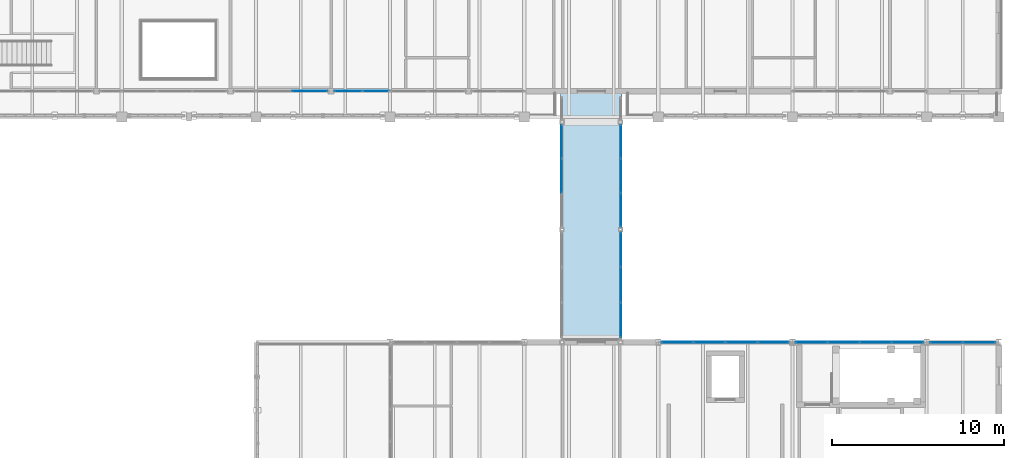
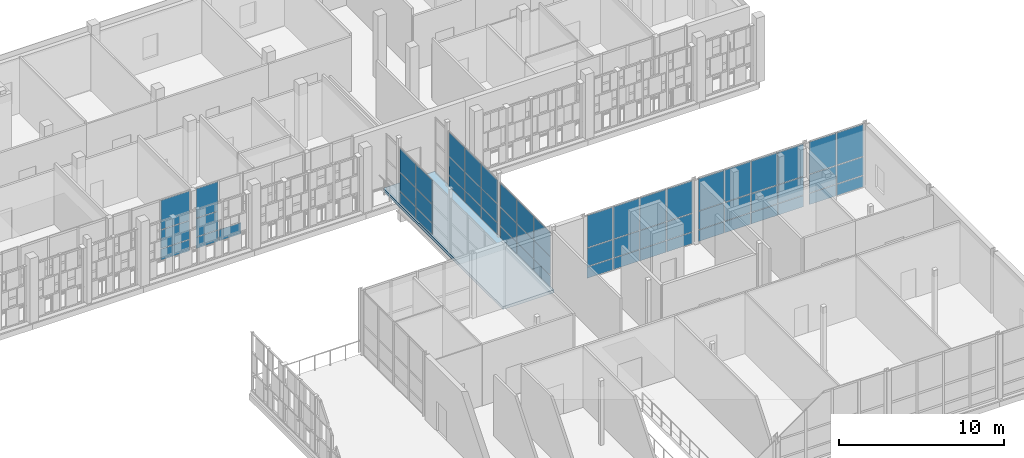
# One storey, part 88 of 138: 61 plates, 1 slab, 8 elements without a shape of their own.
"""IFC4 building model written with IfcOpenShell, lengths in metres."""

from ifc_helpers import new_model, si_unit, direction, frame, origin, origin_2d, place, context, subcontext, project, spatial, polyline, rectangle, outline, extrude, material, layer, layer_set, type_object, element, aggregate, save


model = new_model("IFC4")

# Units and contexts
model_context = context("Model", 3, precision=1e-05, world=origin(), true_north=direction((0.0, 1.0)))
body_context = subcontext(model_context, "Body", "Model", "MODEL_VIEW")
ifc_project = project(units=[si_unit("LENGTHUNIT", "METRE"), si_unit("AREAUNIT", "SQUARE_METRE"), si_unit("VOLUMEUNIT", "CUBIC_METRE"), si_unit("PLANEANGLEUNIT", "RADIAN"), si_unit("MASSUNIT", "GRAM", prefix="KILO")], contexts=[model_context])

# Site, building, storey
site_placement = place(None, origin())
site = spatial("IfcSite", under=ifc_project, at=site_placement, CompositionType="ELEMENT")
building_placement = place(site_placement, origin())
building = spatial("IfcBuilding", under=site, at=building_placement, Name="Celorna Specialist Clinic", CompositionType="ELEMENT")
storey_placement = place(building_placement, frame((0.0, 0.0, 4.800048828125)))
storey = spatial("IfcBuildingStorey", under=building, at=storey_placement, Name="L01", CompositionType="ELEMENT", Elevation=4.800048828125)

# Curtain wall, plates
ifc_material_1 = material(Name="Thermally broken aluminium and solar-control glass curtain wall", Category="aluminium")
ifc_layer_1 = layer(ifc_material_1, 0.159912109375, Name="Thermally broken aluminium and solar-control glass curtain wall")
ifc_layer_set_1 = layer_set([ifc_layer_1], Name="Thermally broken aluminium and solar-control glass curtain wall")
curtain_wall_type_1 = type_object("IfcCurtainWallType", Name="CW-43", PredefinedType="NOTDEFINED", material=ifc_layer_set_1)
curtain_wall_1_placement = place(storey_placement, origin())
curtain_wall_1 = element("IfcCurtainWall", 1, at=curtain_wall_1_placement, inside=storey, type_object=curtain_wall_type_1, Name="Curtain wall CW-43 #83", PredefinedType="NOTDEFINED")
ifc_material_2 = material(Name="Low-e double glazing", Category="glass")
ifc_layer_2 = layer(ifc_material_2, 0.028076171875, Name="Low-e double glazing")
ifc_layer_set_2 = layer_set([ifc_layer_2], Name="Low-e double glazing")
plate_type_1 = type_object("IfcPlateType", Name="CPN-01", PredefinedType="CURTAIN_PANEL", material=ifc_layer_set_2)
plate_1_placement = place(storey_placement, frame((164.939453125, 83.39990234375, 0.0498046875), z_axis=(0.0, 0.0, 1.0), x_axis=(1.0, 0.0, 0.0)))
plate_1 = element("IfcPlate", 2, at=plate_1_placement, type_object=plate_type_1, Name="CW-43 panel 1.1", PredefinedType="CURTAIN_PANEL", context=body_context, shape_type="SweptSolid", body=[
    extrude(rectangle(XDim=1.87109375, YDim=0.028076171875, at=origin_2d()), origin(), (0.0, 0.0, 1.0), 0.824951171875),
])
plate_2_placement = place(storey_placement, frame((164.939453125, 83.39990234375, 0.9248046875), z_axis=(0.0, 0.0, 1.0), x_axis=(1.0, 0.0, 0.0)))
plate_2 = element("IfcPlate", 3, at=plate_2_placement, type_object=plate_type_1, Name="CW-43 panel 1.2", PredefinedType="CURTAIN_PANEL", context=body_context, shape_type="SweptSolid", body=[
    extrude(rectangle(XDim=1.87109375, YDim=0.028076171875, at=origin_2d()), origin(), (0.0, 0.0, 1.0), 1.35009765625),
])
plate_3_placement = place(storey_placement, frame((164.939453125, 83.39990234375, 2.324951171875), z_axis=(0.0, 0.0, 1.0), x_axis=(1.0, 0.0, 0.0)))
plate_3 = element("IfcPlate", 4, at=plate_3_placement, type_object=plate_type_1, Name="CW-43 panel 1.3", PredefinedType="CURTAIN_PANEL", context=body_context, shape_type="SweptSolid", body=[
    extrude(rectangle(XDim=1.87109375, YDim=0.028076171875, at=origin_2d()), origin(), (0.0, 0.0, 1.0), 2.375),
])
plate_4_placement = place(storey_placement, frame((166.860595703125, 83.39990234375, 0.0498046875), z_axis=(0.0, 0.0, 1.0), x_axis=(1.0, 0.0, 0.0)))
plate_4 = element("IfcPlate", 5, at=plate_4_placement, type_object=plate_type_1, Name="CW-43 panel 2.1", PredefinedType="CURTAIN_PANEL", context=body_context, shape_type="SweptSolid", body=[
    extrude(rectangle(XDim=1.87109375, YDim=0.028076171875, at=origin_2d()), origin(), (0.0, 0.0, 1.0), 0.824951171875),
])
plate_5_placement = place(storey_placement, frame((166.860595703125, 83.39990234375, 0.9248046875), z_axis=(0.0, 0.0, 1.0), x_axis=(1.0, 0.0, 0.0)))
plate_5 = element("IfcPlate", 6, at=plate_5_placement, type_object=plate_type_1, Name="CW-43 panel 2.2", PredefinedType="CURTAIN_PANEL", context=body_context, shape_type="SweptSolid", body=[
    extrude(rectangle(XDim=1.87109375, YDim=0.028076171875, at=origin_2d()), origin(), (0.0, 0.0, 1.0), 1.35009765625),
])
plate_6_placement = place(storey_placement, frame((166.860595703125, 83.39990234375, 2.324951171875), z_axis=(0.0, 0.0, 1.0), x_axis=(1.0, 0.0, 0.0)))
plate_6 = element("IfcPlate", 7, at=plate_6_placement, type_object=plate_type_1, Name="CW-43 panel 2.3", PredefinedType="CURTAIN_PANEL", context=body_context, shape_type="SweptSolid", body=[
    extrude(rectangle(XDim=1.87109375, YDim=0.028076171875, at=origin_2d()), origin(), (0.0, 0.0, 1.0), 2.375),
])
aggregate(curtain_wall_1, [plate_1, plate_2, plate_3, plate_4, plate_5, plate_6])

ifc_layer_3 = layer(ifc_material_1, 0.159912109375, Name="Thermally broken aluminium and solar-control glass curtain wall")
ifc_layer_set_3 = layer_set([ifc_layer_3], Name="Thermally broken aluminium and solar-control glass curtain wall")
curtain_wall_type_2 = type_object("IfcCurtainWallType", Name="CW-61", PredefinedType="NOTDEFINED", material=ifc_layer_set_3)
curtain_wall_2_placement = place(storey_placement, origin())
curtain_wall_2 = element("IfcCurtainWall", 8, at=curtain_wall_2_placement, inside=storey, type_object=curtain_wall_type_2, Name="Curtain wall CW-61 #115", PredefinedType="NOTDEFINED")
plate_7_placement = place(storey_placement, frame((131.7705078125, 98.0, 0.0498046875), z_axis=(0.0, 0.0, 1.0), x_axis=(-1.0, 0.0, 0.0)))
plate_7 = element("IfcPlate", 9, at=plate_7_placement, type_object=plate_type_1, Name="CW-61 panel 1.1", PredefinedType="CURTAIN_PANEL", context=body_context, shape_type="SweptSolid", body=[
    extrude(rectangle(XDim=1.551025390625, YDim=0.028076171875, at=origin_2d()), origin(), (0.0, 0.0, 1.0), 0.824951171875),
])
plate_8_placement = place(storey_placement, frame((130.16943359375, 98.0, 0.0498046875), z_axis=(0.0, 0.0, 1.0), x_axis=(-1.0, 0.0, 0.0)))
plate_8 = element("IfcPlate", 10, at=plate_8_placement, type_object=plate_type_1, Name="CW-61 panel 2.1", PredefinedType="CURTAIN_PANEL", context=body_context, shape_type="SweptSolid", body=[
    extrude(rectangle(XDim=1.551025390625, YDim=0.028076171875, at=origin_2d()), origin(), (0.0, 0.0, 1.0), 0.824951171875),
])
plate_9_placement = place(storey_placement, frame((130.16943359375, 98.0, 0.9248046875), z_axis=(0.0, 0.0, 1.0), x_axis=(-1.0, 0.0, 0.0)))
plate_9 = element("IfcPlate", 11, at=plate_9_placement, type_object=plate_type_1, Name="CW-61 panel 2.2", PredefinedType="CURTAIN_PANEL", context=body_context, shape_type="SweptSolid", body=[
    extrude(rectangle(XDim=1.551025390625, YDim=0.028076171875, at=origin_2d()), origin(), (0.0, 0.0, 1.0), 1.35009765625),
])
plate_10_placement = place(storey_placement, frame((130.16943359375, 98.0, 2.324951171875), z_axis=(0.0, 0.0, 1.0), x_axis=(-1.0, 0.0, 0.0)))
plate_10 = element("IfcPlate", 12, at=plate_10_placement, type_object=plate_type_1, Name="CW-61 panel 2.3", PredefinedType="CURTAIN_PANEL", context=body_context, shape_type="SweptSolid", body=[
    extrude(rectangle(XDim=1.551025390625, YDim=0.028076171875, at=origin_2d()), origin(), (0.0, 0.0, 1.0), 2.1650390625),
])
aggregate(curtain_wall_2, [plate_7, plate_8, plate_9, plate_10])

ifc_layer_4 = layer(ifc_material_1, 0.159912109375, Name="Thermally broken aluminium and solar-control glass curtain wall")
ifc_layer_set_4 = layer_set([ifc_layer_4], Name="Thermally broken aluminium and solar-control glass curtain wall")
curtain_wall_type_3 = type_object("IfcCurtainWallType", Name="CW-62", PredefinedType="NOTDEFINED", material=ifc_layer_set_4)
curtain_wall_3_placement = place(storey_placement, origin())
curtain_wall_3 = element("IfcCurtainWall", 13, at=curtain_wall_3_placement, inside=storey, type_object=curtain_wall_type_3, Name="Curtain wall CW-62 #116", PredefinedType="NOTDEFINED")
plate_11_placement = place(storey_placement, frame((127.935546875, 98.0, 0.0498046875), z_axis=(0.0, 0.0, 1.0), x_axis=(-1.0, 0.0, 0.0)))
plate_11 = element("IfcPlate", 14, at=plate_11_placement, type_object=plate_type_1, Name="CW-62 panel 1.1", PredefinedType="CURTAIN_PANEL", context=body_context, shape_type="SweptSolid", body=[
    extrude(rectangle(XDim=2.02099609375, YDim=0.028076171875, at=origin_2d()), origin(), (0.0, 0.0, 1.0), 0.824951171875),
])
plate_12_placement = place(storey_placement, frame((127.935546875, 98.0, 0.9248046875), z_axis=(0.0, 0.0, 1.0), x_axis=(-1.0, 0.0, 0.0)))
plate_12 = element("IfcPlate", 15, at=plate_12_placement, type_object=plate_type_1, Name="CW-62 panel 1.2", PredefinedType="CURTAIN_PANEL", context=body_context, shape_type="SweptSolid", body=[
    extrude(rectangle(XDim=2.02099609375, YDim=0.028076171875, at=origin_2d()), origin(), (0.0, 0.0, 1.0), 1.35009765625),
])
plate_13_placement = place(storey_placement, frame((127.935546875, 98.0, 2.324951171875), z_axis=(0.0, 0.0, 1.0), x_axis=(-1.0, 0.0, 0.0)))
plate_13 = element("IfcPlate", 16, at=plate_13_placement, type_object=plate_type_1, Name="CW-62 panel 1.3", PredefinedType="CURTAIN_PANEL", context=body_context, shape_type="SweptSolid", body=[
    extrude(rectangle(XDim=2.02099609375, YDim=0.028076171875, at=origin_2d()), origin(), (0.0, 0.0, 1.0), 2.1650390625),
])
aggregate(curtain_wall_3, [plate_11, plate_12, plate_13])

ifc_layer_5 = layer(ifc_material_1, 0.159912109375, Name="Thermally broken aluminium and solar-control glass curtain wall")
ifc_layer_set_5 = layer_set([ifc_layer_5], Name="Thermally broken aluminium and solar-control glass curtain wall")
curtain_wall_type_4 = type_object("IfcCurtainWallType", Name="CW-117", PredefinedType="NOTDEFINED", material=ifc_layer_set_5)
curtain_wall_4_placement = place(storey_placement, origin())
curtain_wall_4 = element("IfcCurtainWall", 17, at=curtain_wall_4_placement, inside=storey, type_object=curtain_wall_type_4, Name="Curtain wall CW-117 #221", PredefinedType="NOTDEFINED")
plate_14_placement = place(storey_placement, frame((142.580078125, 93.074951171875, 0.0498046875), z_axis=(0.0, 0.0, 1.0), x_axis=(0.0, 1.0, 0.0)))
plate_14 = element("IfcPlate", 18, at=plate_14_placement, type_object=plate_type_1, Name="CW-117 panel 2.1", PredefinedType="CURTAIN_PANEL", context=body_context, shape_type="SweptSolid", body=[
    extrude(rectangle(XDim=1.953369140625, YDim=0.028076171875, at=origin_2d()), origin(), (0.0, 0.0, 1.0), 0.824951171875),
])
plate_15_placement = place(storey_placement, frame((142.580078125, 93.074951171875, 0.9248046875), z_axis=(0.0, 0.0, 1.0), x_axis=(0.0, 1.0, 0.0)))
plate_15 = element("IfcPlate", 19, at=plate_15_placement, type_object=plate_type_1, Name="CW-117 panel 2.2", PredefinedType="CURTAIN_PANEL", context=body_context, shape_type="SweptSolid", body=[
    extrude(rectangle(XDim=1.953369140625, YDim=0.028076171875, at=origin_2d()), origin(), (0.0, 0.0, 1.0), 1.35009765625),
])
plate_16_placement = place(storey_placement, frame((142.580078125, 93.074951171875, 2.324951171875), z_axis=(0.0, 0.0, 1.0), x_axis=(0.0, 1.0, 0.0)))
plate_16 = element("IfcPlate", 20, at=plate_16_placement, type_object=plate_type_1, Name="CW-117 panel 2.3", PredefinedType="CURTAIN_PANEL", context=body_context, shape_type="SweptSolid", body=[
    extrude(rectangle(XDim=1.953369140625, YDim=0.028076171875, at=origin_2d()), origin(), (0.0, 0.0, 1.0), 1.7548828125),
])
plate_17_placement = place(storey_placement, frame((142.580078125, 95.06591796875, 0.0498046875), z_axis=(0.0, 0.0, 1.0), x_axis=(0.0, 1.0, 0.0)))
plate_17 = element("IfcPlate", 21, at=plate_17_placement, type_object=plate_type_1, Name="CW-117 panel 3.1", PredefinedType="CURTAIN_PANEL", context=body_context, shape_type="SweptSolid", body=[
    extrude(rectangle(XDim=1.92822265625, YDim=0.028076171875, at=origin_2d()), origin(), (0.0, 0.0, 1.0), 0.824951171875),
])
plate_18_placement = place(storey_placement, frame((142.580078125, 95.06591796875, 0.9248046875), z_axis=(0.0, 0.0, 1.0), x_axis=(0.0, 1.0, 0.0)))
plate_18 = element("IfcPlate", 22, at=plate_18_placement, type_object=plate_type_1, Name="CW-117 panel 3.2", PredefinedType="CURTAIN_PANEL", context=body_context, shape_type="SweptSolid", body=[
    extrude(rectangle(XDim=1.92822265625, YDim=0.028076171875, at=origin_2d()), origin(), (0.0, 0.0, 1.0), 1.35009765625),
])
plate_19_placement = place(storey_placement, frame((142.580078125, 95.06591796875, 2.324951171875), z_axis=(0.0, 0.0, 1.0), x_axis=(0.0, 1.0, 0.0)))
plate_19 = element("IfcPlate", 23, at=plate_19_placement, type_object=plate_type_1, Name="CW-117 panel 3.3", PredefinedType="CURTAIN_PANEL", context=body_context, shape_type="SweptSolid", body=[
    extrude(rectangle(XDim=1.92822265625, YDim=0.028076171875, at=origin_2d()), origin(), (0.0, 0.0, 1.0), 1.7548828125),
])
aggregate(curtain_wall_4, [plate_14, plate_15, plate_16, plate_17, plate_18, plate_19])

curtain_wall_5_placement = place(storey_placement, origin())
curtain_wall_5 = element("IfcCurtainWall", 24, at=curtain_wall_5_placement, inside=storey, type_object=curtain_wall_type_4, Name="Curtain wall CW-117 #224", PredefinedType="NOTDEFINED")
plate_20_placement = place(storey_placement, frame((146.02001953125, 95.06591796875, 0.0498046875), z_axis=(0.0, 0.0, 1.0), x_axis=(0.0, -1.0, 0.0)))
plate_20 = element("IfcPlate", 25, at=plate_20_placement, type_object=plate_type_1, Name="CW-117 panel 1.1", PredefinedType="CURTAIN_PANEL", context=body_context, shape_type="SweptSolid", body=[
    extrude(rectangle(XDim=1.92822265625, YDim=0.028076171875, at=origin_2d()), origin(), (0.0, 0.0, 1.0), 0.824951171875),
])
plate_21_placement = place(storey_placement, frame((146.02001953125, 95.06591796875, 0.9248046875), z_axis=(0.0, 0.0, 1.0), x_axis=(0.0, -1.0, 0.0)))
plate_21 = element("IfcPlate", 26, at=plate_21_placement, type_object=plate_type_1, Name="CW-117 panel 1.2", PredefinedType="CURTAIN_PANEL", context=body_context, shape_type="SweptSolid", body=[
    extrude(rectangle(XDim=1.92822265625, YDim=0.028076171875, at=origin_2d()), origin(), (0.0, 0.0, 1.0), 1.35009765625),
])
plate_22_placement = place(storey_placement, frame((146.02001953125, 95.06591796875, 2.324951171875), z_axis=(0.0, 0.0, 1.0), x_axis=(0.0, -1.0, 0.0)))
plate_22 = element("IfcPlate", 27, at=plate_22_placement, type_object=plate_type_1, Name="CW-117 panel 1.3", PredefinedType="CURTAIN_PANEL", context=body_context, shape_type="SweptSolid", body=[
    extrude(rectangle(XDim=1.92822265625, YDim=0.028076171875, at=origin_2d()), origin(), (0.0, 0.0, 1.0), 1.7548828125),
])
plate_23_placement = place(storey_placement, frame((146.02001953125, 93.074951171875, 0.0498046875), z_axis=(0.0, 0.0, 1.0), x_axis=(0.0, -1.0, 0.0)))
plate_23 = element("IfcPlate", 28, at=plate_23_placement, type_object=plate_type_1, Name="CW-117 panel 2.1", PredefinedType="CURTAIN_PANEL", context=body_context, shape_type="SweptSolid", body=[
    extrude(rectangle(XDim=1.953369140625, YDim=0.028076171875, at=origin_2d()), origin(), (0.0, 0.0, 1.0), 0.824951171875),
])
plate_24_placement = place(storey_placement, frame((146.02001953125, 93.074951171875, 0.9248046875), z_axis=(0.0, 0.0, 1.0), x_axis=(0.0, -1.0, 0.0)))
plate_24 = element("IfcPlate", 29, at=plate_24_placement, type_object=plate_type_1, Name="CW-117 panel 2.2", PredefinedType="CURTAIN_PANEL", context=body_context, shape_type="SweptSolid", body=[
    extrude(rectangle(XDim=1.953369140625, YDim=0.028076171875, at=origin_2d()), origin(), (0.0, 0.0, 1.0), 1.35009765625),
])
plate_25_placement = place(storey_placement, frame((146.02001953125, 93.074951171875, 2.324951171875), z_axis=(0.0, 0.0, 1.0), x_axis=(0.0, -1.0, 0.0)))
plate_25 = element("IfcPlate", 30, at=plate_25_placement, type_object=plate_type_1, Name="CW-117 panel 2.3", PredefinedType="CURTAIN_PANEL", context=body_context, shape_type="SweptSolid", body=[
    extrude(rectangle(XDim=1.953369140625, YDim=0.028076171875, at=origin_2d()), origin(), (0.0, 0.0, 1.0), 1.7548828125),
])
plate_26_placement = place(storey_placement, frame((146.02001953125, 91.084228515625, 0.0498046875), z_axis=(0.0, 0.0, 1.0), x_axis=(0.0, -1.0, 0.0)))
plate_26 = element("IfcPlate", 31, at=plate_26_placement, type_object=plate_type_1, Name="CW-117 panel 3.1", PredefinedType="CURTAIN_PANEL", context=body_context, shape_type="SweptSolid", body=[
    extrude(rectangle(XDim=1.92822265625, YDim=0.028076171875, at=origin_2d()), origin(), (0.0, 0.0, 1.0), 0.824951171875),
])
plate_27_placement = place(storey_placement, frame((146.02001953125, 91.084228515625, 0.9248046875), z_axis=(0.0, 0.0, 1.0), x_axis=(0.0, -1.0, 0.0)))
plate_27 = element("IfcPlate", 32, at=plate_27_placement, type_object=plate_type_1, Name="CW-117 panel 3.2", PredefinedType="CURTAIN_PANEL", context=body_context, shape_type="SweptSolid", body=[
    extrude(rectangle(XDim=1.92822265625, YDim=0.028076171875, at=origin_2d()), origin(), (0.0, 0.0, 1.0), 1.35009765625),
])
plate_28_placement = place(storey_placement, frame((146.02001953125, 91.084228515625, 2.324951171875), z_axis=(0.0, 0.0, 1.0), x_axis=(0.0, -1.0, 0.0)))
plate_28 = element("IfcPlate", 33, at=plate_28_placement, type_object=plate_type_1, Name="CW-117 panel 3.3", PredefinedType="CURTAIN_PANEL", context=body_context, shape_type="SweptSolid", body=[
    extrude(rectangle(XDim=1.92822265625, YDim=0.028076171875, at=origin_2d()), origin(), (0.0, 0.0, 1.0), 1.7548828125),
])
aggregate(curtain_wall_5, [plate_20, plate_21, plate_22, plate_23, plate_24, plate_25, plate_26, plate_27, plate_28])

ifc_layer_6 = layer(ifc_material_1, 0.159912109375, Name="Thermally broken aluminium and solar-control glass curtain wall")
ifc_layer_set_6 = layer_set([ifc_layer_6], Name="Thermally broken aluminium and solar-control glass curtain wall")
curtain_wall_type_5 = type_object("IfcCurtainWallType", Name="CW-116", PredefinedType="NOTDEFINED", material=ifc_layer_set_6)
curtain_wall_6_placement = place(storey_placement, origin())
curtain_wall_6 = element("IfcCurtainWall", 34, at=curtain_wall_6_placement, inside=storey, type_object=curtain_wall_type_5, Name="Curtain wall CW-116 #225", PredefinedType="NOTDEFINED")
plate_29_placement = place(storey_placement, frame((146.02001953125, 88.78759765625, 0.0498046875), z_axis=(0.0, 0.0, 1.0), x_axis=(0.0, -1.0, 0.0)))
plate_29 = element("IfcPlate", 35, at=plate_29_placement, type_object=plate_type_1, Name="CW-116 panel 1.1", PredefinedType="CURTAIN_PANEL", context=body_context, shape_type="SweptSolid", body=[
    extrude(rectangle(XDim=1.985107421875, YDim=0.028076171875, at=origin_2d()), origin(), (0.0, 0.0, 1.0), 0.824951171875),
])
plate_30_placement = place(storey_placement, frame((146.02001953125, 88.78759765625, 0.9248046875), z_axis=(0.0, 0.0, 1.0), x_axis=(0.0, -1.0, 0.0)))
plate_30 = element("IfcPlate", 36, at=plate_30_placement, type_object=plate_type_1, Name="CW-116 panel 1.2", PredefinedType="CURTAIN_PANEL", context=body_context, shape_type="SweptSolid", body=[
    extrude(rectangle(XDim=1.985107421875, YDim=0.028076171875, at=origin_2d()), origin(), (0.0, 0.0, 1.0), 1.35009765625),
])
plate_31_placement = place(storey_placement, frame((146.02001953125, 88.78759765625, 2.324951171875), z_axis=(0.0, 0.0, 1.0), x_axis=(0.0, -1.0, 0.0)))
plate_31 = element("IfcPlate", 37, at=plate_31_placement, type_object=plate_type_1, Name="CW-116 panel 1.3", PredefinedType="CURTAIN_PANEL", context=body_context, shape_type="SweptSolid", body=[
    extrude(rectangle(XDim=1.985107421875, YDim=0.028076171875, at=origin_2d()), origin(), (0.0, 0.0, 1.0), 1.7548828125),
])
plate_32_placement = place(storey_placement, frame((146.02001953125, 86.739990234375, 0.0498046875), z_axis=(0.0, 0.0, 1.0), x_axis=(0.0, -1.0, 0.0)))
plate_32 = element("IfcPlate", 38, at=plate_32_placement, type_object=plate_type_1, Name="CW-116 panel 2.1", PredefinedType="CURTAIN_PANEL", context=body_context, shape_type="SweptSolid", body=[
    extrude(rectangle(XDim=2.010009765625, YDim=0.028076171875, at=origin_2d()), origin(), (0.0, 0.0, 1.0), 0.824951171875),
])
plate_33_placement = place(storey_placement, frame((146.02001953125, 86.739990234375, 0.9248046875), z_axis=(0.0, 0.0, 1.0), x_axis=(0.0, -1.0, 0.0)))
plate_33 = element("IfcPlate", 39, at=plate_33_placement, type_object=plate_type_1, Name="CW-116 panel 2.2", PredefinedType="CURTAIN_PANEL", context=body_context, shape_type="SweptSolid", body=[
    extrude(rectangle(XDim=2.010009765625, YDim=0.028076171875, at=origin_2d()), origin(), (0.0, 0.0, 1.0), 1.35009765625),
])
plate_34_placement = place(storey_placement, frame((146.02001953125, 86.739990234375, 2.324951171875), z_axis=(0.0, 0.0, 1.0), x_axis=(0.0, -1.0, 0.0)))
plate_34 = element("IfcPlate", 40, at=plate_34_placement, type_object=plate_type_1, Name="CW-116 panel 2.3", PredefinedType="CURTAIN_PANEL", context=body_context, shape_type="SweptSolid", body=[
    extrude(rectangle(XDim=2.010009765625, YDim=0.028076171875, at=origin_2d()), origin(), (0.0, 0.0, 1.0), 1.7548828125),
])
plate_35_placement = place(storey_placement, frame((146.02001953125, 84.6923828125, 0.0498046875), z_axis=(0.0, 0.0, 1.0), x_axis=(0.0, -1.0, 0.0)))
plate_35 = element("IfcPlate", 41, at=plate_35_placement, type_object=plate_type_1, Name="CW-116 panel 3.1", PredefinedType="CURTAIN_PANEL", context=body_context, shape_type="SweptSolid", body=[
    extrude(rectangle(XDim=1.985107421875, YDim=0.028076171875, at=origin_2d()), origin(), (0.0, 0.0, 1.0), 0.824951171875),
])
plate_36_placement = place(storey_placement, frame((146.02001953125, 84.6923828125, 0.9248046875), z_axis=(0.0, 0.0, 1.0), x_axis=(0.0, -1.0, 0.0)))
plate_36 = element("IfcPlate", 42, at=plate_36_placement, type_object=plate_type_1, Name="CW-116 panel 3.2", PredefinedType="CURTAIN_PANEL", context=body_context, shape_type="SweptSolid", body=[
    extrude(rectangle(XDim=1.985107421875, YDim=0.028076171875, at=origin_2d()), origin(), (0.0, 0.0, 1.0), 1.35009765625),
])
plate_37_placement = place(storey_placement, frame((146.02001953125, 84.6923828125, 2.324951171875), z_axis=(0.0, 0.0, 1.0), x_axis=(0.0, -1.0, 0.0)))
plate_37 = element("IfcPlate", 43, at=plate_37_placement, type_object=plate_type_1, Name="CW-116 panel 3.3", PredefinedType="CURTAIN_PANEL", context=body_context, shape_type="SweptSolid", body=[
    extrude(rectangle(XDim=1.985107421875, YDim=0.028076171875, at=origin_2d()), origin(), (0.0, 0.0, 1.0), 1.7548828125),
])
aggregate(curtain_wall_6, [plate_29, plate_30, plate_31, plate_32, plate_33, plate_34, plate_35, plate_36, plate_37])

ifc_layer_7 = layer(ifc_material_1, 0.159912109375, Name="Thermally broken aluminium and solar-control glass curtain wall")
ifc_layer_set_7 = layer_set([ifc_layer_7], Name="Thermally broken aluminium and solar-control glass curtain wall")
curtain_wall_type_6 = type_object("IfcCurtainWallType", Name="CW-42", PredefinedType="NOTDEFINED", material=ifc_layer_set_7)
curtain_wall_7_placement = place(storey_placement, origin())
curtain_wall_7 = element("IfcCurtainWall", 44, at=curtain_wall_7_placement, inside=storey, type_object=curtain_wall_type_6, Name="Curtain wall CW-42 #81", PredefinedType="NOTDEFINED")
ifc_material_3 = material(Name="Solar-control triple glazing", Category="glass")
ifc_layer_8 = layer(ifc_material_3, 0.035888671875, Name="Solar-control triple glazing")
ifc_layer_set_8 = layer_set([ifc_layer_8], Name="Solar-control triple glazing")
plate_type_2 = type_object("IfcPlateType", Name="CPN-02", PredefinedType="CURTAIN_PANEL", material=ifc_layer_set_8)
plate_38_placement = place(storey_placement, frame((149.302978515625, 83.39990234375, 0.0498046875), z_axis=(0.0, 0.0, 1.0), x_axis=(1.0, 0.0, 0.0)))
plate_38 = element("IfcPlate", 45, at=plate_38_placement, type_object=plate_type_2, Name="CW-42 panel 1.1", PredefinedType="CURTAIN_PANEL", context=body_context, shape_type="SweptSolid", body=[
    extrude(rectangle(XDim=1.798095703125, YDim=0.035888671875, at=origin_2d()), origin(), (0.0, 0.0, 1.0), 0.824951171875),
])
plate_39_placement = place(storey_placement, frame((149.302978515625, 83.39990234375, 0.9248046875), z_axis=(0.0, 0.0, 1.0), x_axis=(1.0, 0.0, 0.0)))
plate_39 = element("IfcPlate", 46, at=plate_39_placement, type_object=plate_type_2, Name="CW-42 panel 1.2", PredefinedType="CURTAIN_PANEL", context=body_context, shape_type="SweptSolid", body=[
    extrude(rectangle(XDim=1.798095703125, YDim=0.035888671875, at=origin_2d()), origin(), (0.0, 0.0, 1.0), 1.35009765625),
])
plate_40_placement = place(storey_placement, frame((149.302978515625, 83.39990234375, 2.324951171875), z_axis=(0.0, 0.0, 1.0), x_axis=(1.0, 0.0, 0.0)))
plate_40 = element("IfcPlate", 47, at=plate_40_placement, type_object=plate_type_2, Name="CW-42 panel 1.3", PredefinedType="CURTAIN_PANEL", context=body_context, shape_type="SweptSolid", body=[
    extrude(rectangle(XDim=1.798095703125, YDim=0.035888671875, at=origin_2d()), origin(), (0.0, 0.0, 1.0), 2.375),
])
plate_41_placement = place(storey_placement, frame((151.16357421875, 83.39990234375, 0.0498046875), z_axis=(0.0, 0.0, 1.0), x_axis=(1.0, 0.0, 0.0)))
plate_41 = element("IfcPlate", 48, at=plate_41_placement, type_object=plate_type_2, Name="CW-42 panel 2.1", PredefinedType="CURTAIN_PANEL", context=body_context, shape_type="SweptSolid", body=[
    extrude(rectangle(XDim=1.822998046875, YDim=0.035888671875, at=origin_2d()), origin(), (0.0, 0.0, 1.0), 0.824951171875),
])
plate_42_placement = place(storey_placement, frame((151.16357421875, 83.39990234375, 0.9248046875), z_axis=(0.0, 0.0, 1.0), x_axis=(1.0, 0.0, 0.0)))
plate_42 = element("IfcPlate", 49, at=plate_42_placement, type_object=plate_type_2, Name="CW-42 panel 2.2", PredefinedType="CURTAIN_PANEL", context=body_context, shape_type="SweptSolid", body=[
    extrude(rectangle(XDim=1.822998046875, YDim=0.035888671875, at=origin_2d()), origin(), (0.0, 0.0, 1.0), 1.35009765625),
])
plate_43_placement = place(storey_placement, frame((151.16357421875, 83.39990234375, 2.324951171875), z_axis=(0.0, 0.0, 1.0), x_axis=(1.0, 0.0, 0.0)))
plate_43 = element("IfcPlate", 50, at=plate_43_placement, type_object=plate_type_2, Name="CW-42 panel 2.3", PredefinedType="CURTAIN_PANEL", context=body_context, shape_type="SweptSolid", body=[
    extrude(rectangle(XDim=1.822998046875, YDim=0.035888671875, at=origin_2d()), origin(), (0.0, 0.0, 1.0), 2.375),
])
plate_44_placement = place(storey_placement, frame((153.03662109375, 83.39990234375, 0.0498046875), z_axis=(0.0, 0.0, 1.0), x_axis=(1.0, 0.0, 0.0)))
plate_44 = element("IfcPlate", 51, at=plate_44_placement, type_object=plate_type_2, Name="CW-42 panel 3.1", PredefinedType="CURTAIN_PANEL", context=body_context, shape_type="SweptSolid", body=[
    extrude(rectangle(XDim=1.822998046875, YDim=0.035888671875, at=origin_2d()), origin(), (0.0, 0.0, 1.0), 0.824951171875),
])
plate_45_placement = place(storey_placement, frame((153.03662109375, 83.39990234375, 0.9248046875), z_axis=(0.0, 0.0, 1.0), x_axis=(1.0, 0.0, 0.0)))
plate_45 = element("IfcPlate", 52, at=plate_45_placement, type_object=plate_type_2, Name="CW-42 panel 3.2", PredefinedType="CURTAIN_PANEL", context=body_context, shape_type="SweptSolid", body=[
    extrude(rectangle(XDim=1.822998046875, YDim=0.035888671875, at=origin_2d()), origin(), (0.0, 0.0, 1.0), 1.35009765625),
])
plate_46_placement = place(storey_placement, frame((153.03662109375, 83.39990234375, 2.324951171875), z_axis=(0.0, 0.0, 1.0), x_axis=(1.0, 0.0, 0.0)))
plate_46 = element("IfcPlate", 53, at=plate_46_placement, type_object=plate_type_2, Name="CW-42 panel 3.3", PredefinedType="CURTAIN_PANEL", context=body_context, shape_type="SweptSolid", body=[
    extrude(rectangle(XDim=1.822998046875, YDim=0.035888671875, at=origin_2d()), origin(), (0.0, 0.0, 1.0), 2.375),
])
plate_47_placement = place(storey_placement, frame((154.89697265625, 83.39990234375, 0.0498046875), z_axis=(0.0, 0.0, 1.0), x_axis=(1.0, 0.0, 0.0)))
plate_47 = element("IfcPlate", 54, at=plate_47_placement, type_object=plate_type_2, Name="CW-42 panel 4.1", PredefinedType="CURTAIN_PANEL", context=body_context, shape_type="SweptSolid", body=[
    extrude(rectangle(XDim=1.798095703125, YDim=0.035888671875, at=origin_2d()), origin(), (0.0, 0.0, 1.0), 0.824951171875),
])
plate_48_placement = place(storey_placement, frame((154.89697265625, 83.39990234375, 0.9248046875), z_axis=(0.0, 0.0, 1.0), x_axis=(1.0, 0.0, 0.0)))
plate_48 = element("IfcPlate", 55, at=plate_48_placement, type_object=plate_type_2, Name="CW-42 panel 4.2", PredefinedType="CURTAIN_PANEL", context=body_context, shape_type="SweptSolid", body=[
    extrude(rectangle(XDim=1.798095703125, YDim=0.035888671875, at=origin_2d()), origin(), (0.0, 0.0, 1.0), 1.35009765625),
])
plate_49_placement = place(storey_placement, frame((154.89697265625, 83.39990234375, 2.324951171875), z_axis=(0.0, 0.0, 1.0), x_axis=(1.0, 0.0, 0.0)))
plate_49 = element("IfcPlate", 56, at=plate_49_placement, type_object=plate_type_2, Name="CW-42 panel 4.3", PredefinedType="CURTAIN_PANEL", context=body_context, shape_type="SweptSolid", body=[
    extrude(rectangle(XDim=1.798095703125, YDim=0.035888671875, at=origin_2d()), origin(), (0.0, 0.0, 1.0), 2.375),
])
aggregate(curtain_wall_7, [plate_38, plate_39, plate_40, plate_41, plate_42, plate_43, plate_44, plate_45, plate_46, plate_47, plate_48, plate_49])

ifc_layer_9 = layer(ifc_material_1, 0.159912109375, Name="Thermally broken aluminium and solar-control glass curtain wall")
ifc_layer_set_9 = layer_set([ifc_layer_9], Name="Thermally broken aluminium and solar-control glass curtain wall")
curtain_wall_type_7 = type_object("IfcCurtainWallType", Name="CW-40", PredefinedType="NOTDEFINED", material=ifc_layer_set_9)
curtain_wall_8_placement = place(storey_placement, origin())
curtain_wall_8 = element("IfcCurtainWall", 57, at=curtain_wall_8_placement, inside=storey, type_object=curtain_wall_type_7, Name="Curtain wall CW-40 #82", PredefinedType="NOTDEFINED")
ifc_material_4 = material(Name="Glazed polychrome ceramic insulated spandrel")
ifc_layer_10 = layer(ifc_material_4, 0.0439453125, Name="Glazed polychrome ceramic insulated spandrel")
ifc_layer_set_10 = layer_set([ifc_layer_10], Name="Glazed polychrome ceramic insulated spandrel")
plate_type_3 = type_object("IfcPlateType", Name="CPN-03", PredefinedType="CURTAIN_PANEL", material=ifc_layer_set_10)
plate_50_placement = place(storey_placement, frame((157.10302734375, 83.39990234375, 0.0498046875), z_axis=(0.0, 0.0, 1.0), x_axis=(1.0, 0.0, 0.0)))
plate_50 = element("IfcPlate", 58, at=plate_50_placement, type_object=plate_type_3, Name="CW-40 panel 1.1", PredefinedType="CURTAIN_PANEL", context=body_context, shape_type="SweptSolid", body=[
    extrude(rectangle(XDim=1.798095703125, YDim=0.0439453125, at=origin_2d()), origin(), (0.0, 0.0, 1.0), 0.824951171875),
])
plate_51_placement = place(storey_placement, frame((157.10302734375, 83.39990234375, 0.9248046875), z_axis=(0.0, 0.0, 1.0), x_axis=(1.0, 0.0, 0.0)))
plate_51 = element("IfcPlate", 59, at=plate_51_placement, type_object=plate_type_3, Name="CW-40 panel 1.2", PredefinedType="CURTAIN_PANEL", context=body_context, shape_type="SweptSolid", body=[
    extrude(rectangle(XDim=1.798095703125, YDim=0.0439453125, at=origin_2d()), origin(), (0.0, 0.0, 1.0), 1.35009765625),
])
plate_52_placement = place(storey_placement, frame((157.10302734375, 83.39990234375, 2.324951171875), z_axis=(0.0, 0.0, 1.0), x_axis=(1.0, 0.0, 0.0)))
plate_52 = element("IfcPlate", 60, at=plate_52_placement, type_object=plate_type_3, Name="CW-40 panel 1.3", PredefinedType="CURTAIN_PANEL", context=body_context, shape_type="SweptSolid", body=[
    extrude(rectangle(XDim=1.798095703125, YDim=0.0439453125, at=origin_2d()), origin(), (0.0, 0.0, 1.0), 2.375),
])
plate_53_placement = place(storey_placement, frame((158.96337890625, 83.39990234375, 0.0498046875), z_axis=(0.0, 0.0, 1.0), x_axis=(1.0, 0.0, 0.0)))
plate_53 = element("IfcPlate", 61, at=plate_53_placement, type_object=plate_type_3, Name="CW-40 panel 2.1", PredefinedType="CURTAIN_PANEL", context=body_context, shape_type="SweptSolid", body=[
    extrude(rectangle(XDim=1.822998046875, YDim=0.0439453125, at=origin_2d()), origin(), (0.0, 0.0, 1.0), 0.824951171875),
])
plate_54_placement = place(storey_placement, frame((158.96337890625, 83.39990234375, 0.9248046875), z_axis=(0.0, 0.0, 1.0), x_axis=(1.0, 0.0, 0.0)))
plate_54 = element("IfcPlate", 62, at=plate_54_placement, type_object=plate_type_3, Name="CW-40 panel 2.2", PredefinedType="CURTAIN_PANEL", context=body_context, shape_type="SweptSolid", body=[
    extrude(rectangle(XDim=1.822998046875, YDim=0.0439453125, at=origin_2d()), origin(), (0.0, 0.0, 1.0), 1.35009765625),
])
plate_55_placement = place(storey_placement, frame((158.96337890625, 83.39990234375, 2.324951171875), z_axis=(0.0, 0.0, 1.0), x_axis=(1.0, 0.0, 0.0)))
plate_55 = element("IfcPlate", 63, at=plate_55_placement, type_object=plate_type_3, Name="CW-40 panel 2.3", PredefinedType="CURTAIN_PANEL", context=body_context, shape_type="SweptSolid", body=[
    extrude(rectangle(XDim=1.822998046875, YDim=0.0439453125, at=origin_2d()), origin(), (0.0, 0.0, 1.0), 2.375),
])
plate_56_placement = place(storey_placement, frame((160.83642578125, 83.39990234375, 0.0498046875), z_axis=(0.0, 0.0, 1.0), x_axis=(1.0, 0.0, 0.0)))
plate_56 = element("IfcPlate", 64, at=plate_56_placement, type_object=plate_type_3, Name="CW-40 panel 3.1", PredefinedType="CURTAIN_PANEL", context=body_context, shape_type="SweptSolid", body=[
    extrude(rectangle(XDim=1.822998046875, YDim=0.0439453125, at=origin_2d()), origin(), (0.0, 0.0, 1.0), 0.824951171875),
])
plate_57_placement = place(storey_placement, frame((160.83642578125, 83.39990234375, 0.9248046875), z_axis=(0.0, 0.0, 1.0), x_axis=(1.0, 0.0, 0.0)))
plate_57 = element("IfcPlate", 65, at=plate_57_placement, type_object=plate_type_3, Name="CW-40 panel 3.2", PredefinedType="CURTAIN_PANEL", context=body_context, shape_type="SweptSolid", body=[
    extrude(rectangle(XDim=1.822998046875, YDim=0.0439453125, at=origin_2d()), origin(), (0.0, 0.0, 1.0), 1.35009765625),
])
plate_58_placement = place(storey_placement, frame((160.83642578125, 83.39990234375, 2.324951171875), z_axis=(0.0, 0.0, 1.0), x_axis=(1.0, 0.0, 0.0)))
plate_58 = element("IfcPlate", 66, at=plate_58_placement, type_object=plate_type_3, Name="CW-40 panel 3.3", PredefinedType="CURTAIN_PANEL", context=body_context, shape_type="SweptSolid", body=[
    extrude(rectangle(XDim=1.822998046875, YDim=0.0439453125, at=origin_2d()), origin(), (0.0, 0.0, 1.0), 2.375),
])
plate_59_placement = place(storey_placement, frame((162.697021484375, 83.39990234375, 0.0498046875), z_axis=(0.0, 0.0, 1.0), x_axis=(1.0, 0.0, 0.0)))
plate_59 = element("IfcPlate", 67, at=plate_59_placement, type_object=plate_type_3, Name="CW-40 panel 4.1", PredefinedType="CURTAIN_PANEL", context=body_context, shape_type="SweptSolid", body=[
    extrude(rectangle(XDim=1.798095703125, YDim=0.0439453125, at=origin_2d()), origin(), (0.0, 0.0, 1.0), 0.824951171875),
])
plate_60_placement = place(storey_placement, frame((162.697021484375, 83.39990234375, 0.9248046875), z_axis=(0.0, 0.0, 1.0), x_axis=(1.0, 0.0, 0.0)))
plate_60 = element("IfcPlate", 68, at=plate_60_placement, type_object=plate_type_3, Name="CW-40 panel 4.2", PredefinedType="CURTAIN_PANEL", context=body_context, shape_type="SweptSolid", body=[
    extrude(rectangle(XDim=1.798095703125, YDim=0.0439453125, at=origin_2d()), origin(), (0.0, 0.0, 1.0), 1.35009765625),
])
plate_61_placement = place(storey_placement, frame((162.697021484375, 83.39990234375, 2.324951171875), z_axis=(0.0, 0.0, 1.0), x_axis=(1.0, 0.0, 0.0)))
plate_61 = element("IfcPlate", 69, at=plate_61_placement, type_object=plate_type_3, Name="CW-40 panel 4.3", PredefinedType="CURTAIN_PANEL", context=body_context, shape_type="SweptSolid", body=[
    extrude(rectangle(XDim=1.798095703125, YDim=0.0439453125, at=origin_2d()), origin(), (0.0, 0.0, 1.0), 2.375),
])
aggregate(curtain_wall_8, [plate_50, plate_51, plate_52, plate_53, plate_54, plate_55, plate_56, plate_57, plate_58, plate_59, plate_60, plate_61])

# Slab
ifc_material_5 = material(Name="Concrete C35/45", Category="concrete")
ifc_layer_11 = layer(ifc_material_5, 0.219970703125, Name="Concrete C35/45")
ifc_layer_set_11 = layer_set([ifc_layer_11], Name="Concrete C35/45")
slab_type = type_object("IfcSlabType", Name="SL-10", PredefinedType="FLOOR", material=ifc_layer_set_11)
slab_placement = place(storey_placement, frame((0.0, 0.0, -0.219970703125)))
element("IfcSlab", 70, at=slab_placement, inside=storey, type_object=slab_type, Name="Cloister bridge BR-05 L01 deck", PredefinedType="FLOOR", context=body_context, shape_type="SweptSolid", body=[
    extrude(outline(polyline([(142.5, 83.39990234375), (146.10009765625, 83.39990234375), (146.10009765625, 97.919921875), (142.5, 97.919921875), (142.5, 83.39990234375)])), origin(), (0.0, 0.0, 1.0), 0.219970703125),
])

save(model, "model.ifc")
